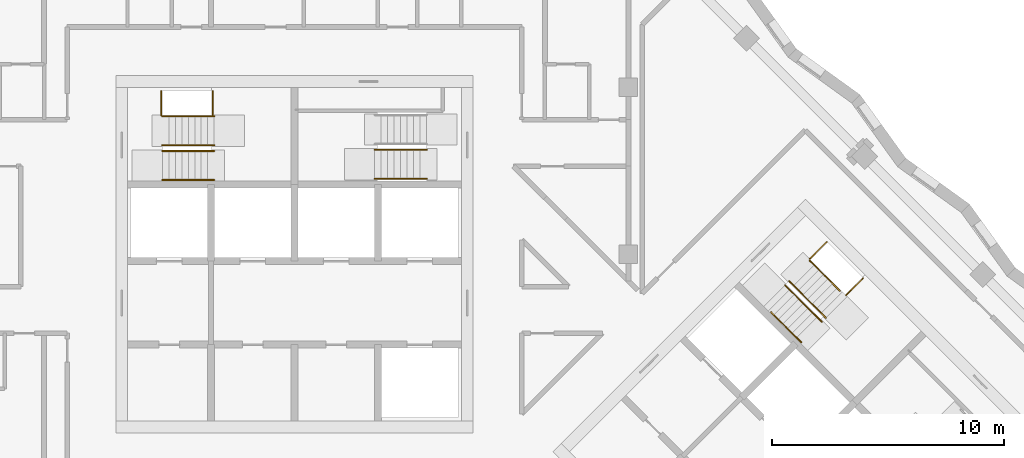
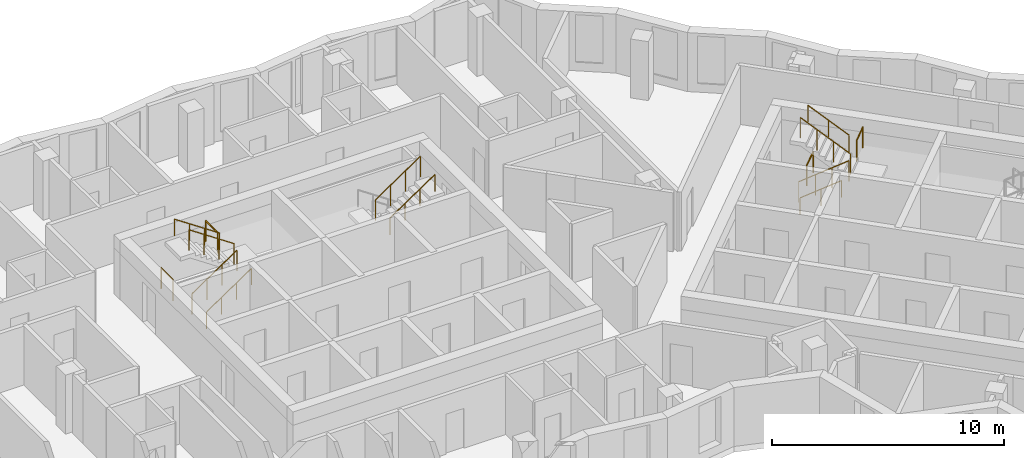
# One storey, part 11 of 13: 14 railings.
"""IFC4 building model written with IfcOpenShell, lengths in metres."""

import ifcopenshell
import ifcopenshell.guid

model = None  # the IFC model being written
_history = None  # IfcOwnerHistory: only IFC2X3 demands one
_inside = {}  # id of a spatial element -> (the spatial element, [elements in it])
_under = {}  # id of a project, library or spatial element -> (it, [spatial elements below it])
_declared = {}  # id of a project -> (the project, [libraries it declares])
_typed = {}  # id of a type object -> (the type object, [elements of that type])
_made_of = {}  # id of a material, layer set ... -> (it, [elements and type objects made of it])


def new_model(schema):
    """Start an empty IFC model of exactly this schema.

    Asked for "IFC4X3", IfcOpenShell would pick the latest addendum, in which some entities
    have other attributes; the version numbers below select the first issue.
    IFC2X3 requires an IfcOwnerHistory on every rooted entity: one is made here for all.
    """
    global model, _history
    if schema == "IFC4X3":
        model = ifcopenshell.file(schema_version=(4, 3, 0, 0))
    else:
        model = ifcopenshell.file(schema=schema)
    _inside.clear()
    _under.clear()
    _declared.clear()
    _typed.clear()
    _made_of.clear()
    _history = None
    if model.schema == "IFC2X3":
        org = make("IfcOrganization", Name="unknown")
        user = make(
            "IfcPersonAndOrganization",
            ThePerson=make("IfcPerson", FamilyName="unknown"),
            TheOrganization=org,
        )
        app = make(
            "IfcApplication",
            ApplicationDeveloper=org,
            Version="unknown",
            ApplicationFullName="unknown",
            ApplicationIdentifier="unknown",
        )
        _history = make(
            "IfcOwnerHistory",
            OwningUser=user,
            OwningApplication=app,
            ChangeAction="ADDED",
            CreationDate=0,
        )
    return model


def make(cls, **values):
    """One entity of the class cls with the attributes given. An attribute that is None is left unset."""
    return model.create_entity(
        cls, **{name: value for name, value in values.items() if value is not None}
    )


def rooted(cls, **values):
    """An entity with a GlobalId (a new one), such as an element, a storey or a relation."""
    return make(cls, GlobalId=ifcopenshell.guid.new(), OwnerHistory=_history, **values)


def si_unit(unit_type, name, prefix=None):
    """IfcSIUnit, for example si_unit("LENGTHUNIT", "METRE", prefix="MILLI")."""
    return make("IfcSIUnit", UnitType=unit_type, Prefix=prefix, Name=name)


def assignment(units):
    """IfcUnitAssignment: the units of a project."""
    return None if units is None else make("IfcUnitAssignment", Units=units)


def point(xyz):
    """IfcCartesianPoint."""
    return None if xyz is None else make("IfcCartesianPoint", Coordinates=xyz)


def direction(xyz):
    """IfcDirection."""
    return None if xyz is None else make("IfcDirection", DirectionRatios=xyz)


def frame(location, z_axis=None, x_axis=None):
    """IfcAxis2Placement3D, a coordinate frame: its origin and axes. An axis left out is left unset."""
    return make(
        "IfcAxis2Placement3D",
        Location=point(location),
        Axis=direction(z_axis),
        RefDirection=direction(x_axis),
    )


def frame_2d(location, x_axis=None):
    """IfcAxis2Placement2D, a coordinate frame in the plane: its origin and x axis."""
    return make(
        "IfcAxis2Placement2D", Location=point(location), RefDirection=direction(x_axis)
    )


def origin():
    """The frame at (0, 0, 0) with its axes left unset."""
    return frame((0.0, 0.0, 0.0))


def origin_2d():
    """The frame at (0, 0) in the plane with its x axis left unset."""
    return frame_2d((0.0, 0.0))


def place(relative_to, where):
    """IfcLocalPlacement: puts the frame where relative to a parent placement (None: the world)."""
    return make(
        "IfcLocalPlacement", PlacementRelTo=relative_to, RelativePlacement=where
    )


def context(
    kind, dimensions, precision=None, world=None, true_north=None, identifier=None
):
    """IfcGeometricRepresentationContext, for example the 3D "Model" context."""
    return make(
        "IfcGeometricRepresentationContext",
        ContextIdentifier=identifier,
        ContextType=kind,
        CoordinateSpaceDimension=dimensions,
        Precision=precision,
        WorldCoordinateSystem=world,
        TrueNorth=true_north,
    )


def subcontext(parent, identifier, kind, view, scale=None):
    """IfcGeometricRepresentationSubContext, for example "Body" below "Model"."""
    return make(
        "IfcGeometricRepresentationSubContext",
        ContextIdentifier=identifier,
        ContextType=kind,
        ParentContext=parent,
        TargetScale=scale,
        TargetView=view,
    )


def project(units=None, contexts=None):
    """IfcProject with its units and contexts."""
    return rooted(
        "IfcProject",
        Name="project",
        RepresentationContexts=contexts,
        UnitsInContext=assignment(units),
    )


def spatial(cls, under=None, at=None, **own):
    """A site, building, storey or space (cls), placed at a placement, below another one or the project."""
    s = rooted(cls, ObjectPlacement=at, **own)
    if under is not None:
        _under.setdefault(under.id(), (under, []))[1].append(s)
    return s


def profile(cls, at=None, kind="AREA", **sizes):
    """A parametric profile (cls). Its sizes go by their IFC names, for example OverallWidth=200.0."""
    return make(cls, ProfileType=kind, Position=at, **sizes)


def circle(**sizes):
    """IfcCircleProfileDef."""
    return profile("IfcCircleProfileDef", **sizes)


def extrude(swept, where, along, depth):
    """IfcExtrudedAreaSolid: the profile swept, set in the frame where, extruded along a direction by depth."""
    return make(
        "IfcExtrudedAreaSolid",
        SweptArea=swept,
        Position=where,
        ExtrudedDirection=direction(along),
        Depth=depth,
    )


def shape(context_of_items, identifier, shape_type, items):
    """IfcShapeRepresentation: the items that make up one representation, for example the "Body"."""
    return make(
        "IfcShapeRepresentation",
        ContextOfItems=context_of_items,
        RepresentationIdentifier=identifier,
        RepresentationType=shape_type,
        Items=items,
    )


def material(Name=None, Category=None):
    """IfcMaterial."""
    return make("IfcMaterial", Name=Name, Category=Category)


def made_of(thing, what):
    """Note that an element or type object is made of a material, layer set ...; save() writes the relation."""
    if what is not None:
        _made_of.setdefault(what.id(), (what, []))[1].append(thing)
    return thing


def type_object(cls, material=None, **own):
    """A type object (cls), such as IfcWallType, which elements share."""
    return made_of(rooted(cls, **own), material)


def element(
    cls,
    number,
    at=None,
    inside=None,
    cuts=None,
    type_object=None,
    material=None,
    context=None,
    identifier="Body",
    shape_type=None,
    held_by="IfcProductDefinitionShape",
    body=None,
    shapes=None,
    **own,
):
    """One element of the class cls, such as IfcWall. Its Tag is "e" and its number.

    at: its placement. inside: the storey or other place that contains it. cuts: it is an
    opening in that element (IfcRelVoidsElement). A single representation is given by context,
    identifier, shape_type and body (its items); several are given by shapes. held_by: the class
    of the entity that holds the representations. save() writes the other relations.
    """
    e = rooted(cls, Tag="e%d" % number, ObjectPlacement=at, **own)
    if body is not None:
        shapes = [shape(context, identifier, shape_type, body)]
    if shapes is not None:
        e.Representation = make(held_by, Representations=shapes)
    if inside is not None:
        _inside.setdefault(inside.id(), (inside, []))[1].append(e)
    if cuts is not None:
        rooted(
            "IfcRelVoidsElement", RelatingBuildingElement=cuts, RelatedOpeningElement=e
        )
    if type_object is not None:
        _typed.setdefault(type_object.id(), (type_object, []))[1].append(e)
    return made_of(e, material)


def aggregate(whole, parts):
    """IfcRelAggregates: a whole, such as a stair, and the parts it consists of."""
    return rooted("IfcRelAggregates", RelatingObject=whole, RelatedObjects=parts)


def save(model, path):
    """Write the relations noted so far, then the file.

    IfcRelAggregates (storeys below a building ...), IfcRelContainedInSpatialStructure (elements
    in a storey), IfcRelDefinesByType, IfcRelAssociatesMaterial and IfcRelDeclares: one each for
    every whole, place, type object, material and project.
    """
    for whole, parts in _under.values():
        aggregate(whole, parts)
    for where, things in _inside.values():
        rooted(
            "IfcRelContainedInSpatialStructure",
            RelatedElements=things,
            RelatingStructure=where,
        )
    for kind, things in _typed.values():
        rooted("IfcRelDefinesByType", RelatedObjects=things, RelatingType=kind)
    for what, things in _made_of.values():
        rooted("IfcRelAssociatesMaterial", RelatedObjects=things, RelatingMaterial=what)
    for by, libraries in _declared.values():
        rooted("IfcRelDeclares", RelatingContext=by, RelatedDefinitions=libraries)
    model.write(path)


model = new_model("IFC4")

# Units and contexts
model_context = context("Model", 3, precision=1e-05, world=origin(), true_north=direction((0.0, 1.0)))
body_context = subcontext(model_context, "Body", "Model", "MODEL_VIEW")
ifc_project = project(units=[si_unit("LENGTHUNIT", "METRE"), si_unit("AREAUNIT", "SQUARE_METRE"), si_unit("VOLUMEUNIT", "CUBIC_METRE"), si_unit("PLANEANGLEUNIT", "RADIAN"), si_unit("MASSUNIT", "GRAM", prefix="KILO")], contexts=[model_context])

# Site, building, storey
site_placement = place(None, origin())
site = spatial("IfcSite", under=ifc_project, at=site_placement, CompositionType="ELEMENT")
building_placement = place(site_placement, origin())
building = spatial("IfcBuilding", under=site, at=building_placement, Name="Windrow Commons", CompositionType="ELEMENT")
storey_placement = place(building_placement, frame((0.0, 0.0, 216.8)))
storey = spatial("IfcBuildingStorey", under=building, at=storey_placement, Name="L59", CompositionType="ELEMENT", Elevation=216.8)

# Railings
ifc_material_1 = material(Name="Steel S355", Category="steel")
railing_type_1 = type_object("IfcRailingType", Name="Core stair guard 1100", PredefinedType="GUARDRAIL", material=ifc_material_1)
railing_1_placement = place(storey_placement, frame((59.1, 62.05, 0.1889)))
element("IfcRailing", 1, at=railing_1_placement, inside=storey, type_object=railing_type_1, Name="L59 ST-A1 stair guard 1", PredefinedType="GUARDRAIL", context=body_context, shape_type="SweptSolid", body=[
    extrude(circle(Radius=0.024, at=origin_2d()), frame((0.0, 0.0, 1.076), z_axis=(0.8290030985, 0.0, 0.5592440099), x_axis=(0.0, 1.0, 0.0)), (0.0, 0.0, 1.0), 2.702),
    extrude(circle(Radius=0.021, at=origin_2d()), origin(), (0.0, 0.0, 1.0), 1.052),
    extrude(circle(Radius=0.021, at=origin_2d()), frame((0.7467, 0.0, 0.5037)), (0.0, 0.0, 1.0), 1.052),
    extrude(circle(Radius=0.021, at=origin_2d()), frame((1.4933, 0.0, 1.0074)), (0.0, 0.0, 1.0), 1.052),
    extrude(circle(Radius=0.021, at=origin_2d()), frame((2.24, 0.0, 1.5111)), (0.0, 0.0, 1.0), 1.052),
])
railing_2_placement = place(storey_placement, frame((61.34, 62.3, 1.8889)))
element("IfcRailing", 2, at=railing_2_placement, inside=storey, type_object=railing_type_1, Name="L59 ST-A1 stair guard 2", PredefinedType="GUARDRAIL", context=body_context, shape_type="SweptSolid", body=[
    extrude(circle(Radius=0.024, at=origin_2d()), frame((0.0, 0.0, 1.076), z_axis=(-0.8290030985, 0.0, 0.5592440099), x_axis=(0.0, -1.0, 0.0)), (0.0, 0.0, 1.0), 2.702),
    extrude(circle(Radius=0.021, at=origin_2d()), origin(), (0.0, 0.0, 1.0), 1.052),
    extrude(circle(Radius=0.021, at=origin_2d()), frame((-0.7467, 0.0, 0.5037)), (0.0, 0.0, 1.0), 1.052),
    extrude(circle(Radius=0.021, at=origin_2d()), frame((-1.4933, 0.0, 1.0074)), (0.0, 0.0, 1.0), 1.052),
    extrude(circle(Radius=0.021, at=origin_2d()), frame((-2.24, 0.0, 1.5111)), (0.0, 0.0, 1.0), 1.052),
])
for number, where, name in (
    (3, (59.05, 63.6, 0.0), "L59 ST-A1 stair guard 3"),
    (4, (61.27, 63.6, 1.7), "L59 ST-A1 stair guard 4"),
):
    element("IfcRailing", number, at=place(storey_placement, frame(where)), inside=storey, type_object=railing_type_1, Name=name, PredefinedType="GUARDRAIL", context=body_context, shape_type="SweptSolid", body=[
        extrude(circle(Radius=0.024, at=origin_2d()), frame((0.0, 0.0, 1.076), z_axis=(0.0, 1.0, 0.0), x_axis=(-1.0, 0.0, 0.0)), (0.0, 0.0, 1.0), 1.03),
        extrude(circle(Radius=0.021, at=origin_2d()), origin(), (0.0, 0.0, 1.0), 1.052),
        extrude(circle(Radius=0.021, at=origin_2d()), frame((0.0, 1.03, 0.0)), (0.0, 0.0, 1.0), 1.052),
    ])
railing_3_placement = place(storey_placement, frame((68.26, 62.105, 1.8889)))
element("IfcRailing", 5, at=railing_3_placement, inside=storey, type_object=railing_type_1, Name="L59 ST-A2 stair guard 2", PredefinedType="GUARDRAIL", context=body_context, shape_type="SweptSolid", body=[
    extrude(circle(Radius=0.024, at=origin_2d()), frame((0.0, 0.0, 1.076), z_axis=(0.8290030985, 0.0, 0.5592440099), x_axis=(0.0, 1.0, 0.0)), (0.0, 0.0, 1.0), 2.702),
    extrude(circle(Radius=0.021, at=origin_2d()), origin(), (0.0, 0.0, 1.0), 1.052),
    extrude(circle(Radius=0.021, at=origin_2d()), frame((0.7467, 0.0, 0.5037)), (0.0, 0.0, 1.0), 1.052),
    extrude(circle(Radius=0.021, at=origin_2d()), frame((1.4933, 0.0, 1.0074)), (0.0, 0.0, 1.0), 1.052),
    extrude(circle(Radius=0.021, at=origin_2d()), frame((2.24, 0.0, 1.5111)), (0.0, 0.0, 1.0), 1.052),
])
railing_4_placement = place(storey_placement, frame((85.9529, 56.2669, 0.1889)))
element("IfcRailing", 6, at=railing_4_placement, inside=storey, type_object=railing_type_1, Name="L59 ST-B1 stair guard 1", PredefinedType="GUARDRAIL", context=body_context, shape_type="SweptSolid", body=[
    extrude(circle(Radius=0.024, at=origin_2d()), frame((0.0, 0.0, 1.076), z_axis=(0.5861914914, -0.5861914914, 0.5592486664), x_axis=(0.7071067812, 0.7071067812, 0.0)), (0.0, 0.0, 1.0), 2.702),
    extrude(circle(Radius=0.021, at=origin_2d()), origin(), (0.0, 0.0, 1.0), 1.052),
    extrude(circle(Radius=0.021, at=origin_2d()), frame((0.528, -0.528, 0.5037)), (0.0, 0.0, 1.0), 1.052),
    extrude(circle(Radius=0.021, at=origin_2d()), frame((1.0559, -1.0559, 1.0074)), (0.0, 0.0, 1.0), 1.052),
    extrude(circle(Radius=0.021, at=origin_2d()), frame((1.5839, -1.5839, 1.5111)), (0.0, 0.0, 1.0), 1.052),
])
railing_5_placement = place(storey_placement, frame((87.7136, 54.8597, 1.8889)))
element("IfcRailing", 7, at=railing_5_placement, inside=storey, type_object=railing_type_1, Name="L59 ST-B1 stair guard 2", PredefinedType="GUARDRAIL", context=body_context, shape_type="SweptSolid", body=[
    extrude(circle(Radius=0.024, at=origin_2d()), frame((0.0, 0.0, 1.076), z_axis=(-0.5862030657, 0.5862030657, 0.5592244018), x_axis=(-0.7071067812, -0.7071067812, 0.0)), (0.0, 0.0, 1.0), 2.7021),
    extrude(circle(Radius=0.021, at=origin_2d()), origin(), (0.0, 0.0, 1.0), 1.052),
    extrude(circle(Radius=0.021, at=origin_2d()), frame((-0.528, 0.528, 0.5037)), (0.0, 0.0, 1.0), 1.052),
    extrude(circle(Radius=0.021, at=origin_2d()), frame((-1.056, 1.056, 1.0074)), (0.0, 0.0, 1.0), 1.052),
    extrude(circle(Radius=0.021, at=origin_2d()), frame((-1.584, 1.584, 1.5111)), (0.0, 0.0, 1.0), 1.052),
])
railing_6_placement = place(storey_placement, frame((87.0135, 57.3982, 0.0)))
element("IfcRailing", 8, at=railing_6_placement, inside=storey, type_object=railing_type_1, Name="L59 ST-B1 stair guard 3", PredefinedType="GUARDRAIL", context=body_context, shape_type="SweptSolid", body=[
    extrude(circle(Radius=0.024, at=origin_2d()), frame((0.0, 0.0, 1.076), z_axis=(0.7070582378, 0.7071553212, 0.0), x_axis=(-0.7071553212, 0.7070582378, 0.0)), (0.0, 0.0, 1.0), 1.03),
    extrude(circle(Radius=0.021, at=origin_2d()), origin(), (0.0, 0.0, 1.0), 1.052),
    extrude(circle(Radius=0.021, at=origin_2d()), frame((0.7283, 0.7284, 0.0)), (0.0, 0.0, 1.0), 1.052),
])
railing_7_placement = place(storey_placement, frame((88.5833, 55.8285, 1.7)))
element("IfcRailing", 9, at=railing_7_placement, inside=storey, type_object=railing_type_1, Name="L59 ST-B1 stair guard 4", PredefinedType="GUARDRAIL", context=body_context, shape_type="SweptSolid", body=[
    extrude(circle(Radius=0.024, at=origin_2d()), frame((0.0, 0.0, 1.076), z_axis=(0.7071067812, 0.7071067812, 0.0), x_axis=(-0.7071067812, 0.7071067812, 0.0)), (0.0, 0.0, 1.0), 1.03),
    extrude(circle(Radius=0.021, at=origin_2d()), origin(), (0.0, 0.0, 1.0), 1.052),
    extrude(circle(Radius=0.021, at=origin_2d()), frame((0.7283, 0.7283, 0.0)), (0.0, 0.0, 1.0), 1.052),
])
ifc_material_2 = material(Name="Steel S355", Category="steel")
railing_type_2 = type_object("IfcRailingType", Name="Core stair handrail 900", PredefinedType="HANDRAIL", material=ifc_material_2)
railing_8_placement = place(storey_placement, frame((59.1, 60.8, 0.1889)))
element("IfcRailing", 10, at=railing_8_placement, inside=storey, type_object=railing_type_2, Name="L59 ST-A1 stair handrail 1", PredefinedType="HANDRAIL", context=body_context, shape_type="SweptSolid", body=[
    extrude(circle(Radius=0.024, at=origin_2d()), frame((0.0, 0.0, 0.876), z_axis=(0.8290030985, 0.0, 0.5592440099), x_axis=(0.0, 1.0, 0.0)), (0.0, 0.0, 1.0), 2.702),
    extrude(circle(Radius=0.021, at=origin_2d()), origin(), (0.0, 0.0, 1.0), 0.852),
    extrude(circle(Radius=0.021, at=origin_2d()), frame((0.7467, 0.0, 0.5037)), (0.0, 0.0, 1.0), 0.852),
    extrude(circle(Radius=0.021, at=origin_2d()), frame((1.4933, 0.0, 1.0074)), (0.0, 0.0, 1.0), 0.852),
    extrude(circle(Radius=0.021, at=origin_2d()), frame((2.24, 0.0, 1.5111)), (0.0, 0.0, 1.0), 0.852),
])
railing_9_placement = place(storey_placement, frame((61.34, 63.55, 1.8889)))
element("IfcRailing", 11, at=railing_9_placement, inside=storey, type_object=railing_type_2, Name="L59 ST-A1 stair handrail 2", PredefinedType="HANDRAIL", context=body_context, shape_type="SweptSolid", body=[
    extrude(circle(Radius=0.024, at=origin_2d()), frame((0.0, 0.0, 0.876), z_axis=(-0.8290030985, 0.0, 0.5592440099), x_axis=(0.0, -1.0, 0.0)), (0.0, 0.0, 1.0), 2.702),
    extrude(circle(Radius=0.021, at=origin_2d()), origin(), (0.0, 0.0, 1.0), 0.852),
    extrude(circle(Radius=0.021, at=origin_2d()), frame((-0.7467, 0.0, 0.5037)), (0.0, 0.0, 1.0), 0.852),
    extrude(circle(Radius=0.021, at=origin_2d()), frame((-1.4933, 0.0, 1.0074)), (0.0, 0.0, 1.0), 0.852),
    extrude(circle(Radius=0.021, at=origin_2d()), frame((-2.24, 0.0, 1.5111)), (0.0, 0.0, 1.0), 0.852),
])
railing_10_placement = place(storey_placement, frame((68.26, 60.855, 1.8889)))
element("IfcRailing", 12, at=railing_10_placement, inside=storey, type_object=railing_type_2, Name="L59 ST-A2 stair handrail 2", PredefinedType="HANDRAIL", context=body_context, shape_type="SweptSolid", body=[
    extrude(circle(Radius=0.024, at=origin_2d()), frame((0.0, 0.0, 0.876), z_axis=(0.8290030985, 0.0, 0.5592440099), x_axis=(0.0, 1.0, 0.0)), (0.0, 0.0, 1.0), 2.702),
    extrude(circle(Radius=0.021, at=origin_2d()), origin(), (0.0, 0.0, 1.0), 0.852),
    extrude(circle(Radius=0.021, at=origin_2d()), frame((0.7467, 0.0, 0.5037)), (0.0, 0.0, 1.0), 0.852),
    extrude(circle(Radius=0.021, at=origin_2d()), frame((1.4933, 0.0, 1.0074)), (0.0, 0.0, 1.0), 0.852),
    extrude(circle(Radius=0.021, at=origin_2d()), frame((2.24, 0.0, 1.5111)), (0.0, 0.0, 1.0), 0.852),
])
railing_11_placement = place(storey_placement, frame((85.3518, 55.1001, 0.4587)))
element("IfcRailing", 13, at=railing_11_placement, inside=storey, type_object=railing_type_2, Name="L59 ST-B1 stair handrail 1", PredefinedType="HANDRAIL", context=body_context, shape_type="SweptSolid", body=[
    extrude(circle(Radius=0.024, at=origin_2d()), frame((0.0, 0.0, 0.876), z_axis=(0.586206706, -0.5861616513, 0.5592639952), x_axis=(0.7070796062, 0.7071339551, 0.0)), (0.0, 0.0, 1.0), 2.2195),
    extrude(circle(Radius=0.021, at=origin_2d()), origin(), (0.0, 0.0, 1.0), 0.852),
    extrude(circle(Radius=0.021, at=origin_2d()), frame((0.6506, -0.6505, 0.6206)), (0.0, 0.0, 1.0), 0.852),
    extrude(circle(Radius=0.021, at=origin_2d()), frame((1.3011, -1.301, 1.2413)), (0.0, 0.0, 1.0), 0.852),
])
railing_12_placement = place(storey_placement, frame((88.3146, 56.0265, 2.1587)))
element("IfcRailing", 14, at=railing_12_placement, inside=storey, type_object=railing_type_2, Name="L59 ST-B1 stair handrail 2", PredefinedType="HANDRAIL", context=body_context, shape_type="SweptSolid", body=[
    extrude(circle(Radius=0.024, at=origin_2d()), frame((0.0, 0.0, 0.876), z_axis=(-0.586206706, 0.5861616513, 0.5592639952), x_axis=(-0.7070796062, -0.7071339551, 0.0)), (0.0, 0.0, 1.0), 2.2195),
    extrude(circle(Radius=0.021, at=origin_2d()), origin(), (0.0, 0.0, 1.0), 0.852),
    extrude(circle(Radius=0.021, at=origin_2d()), frame((-0.6506, 0.6505, 0.6206)), (0.0, 0.0, 1.0), 0.852),
    extrude(circle(Radius=0.021, at=origin_2d()), frame((-1.3011, 1.301, 1.2413)), (0.0, 0.0, 1.0), 0.852),
])

save(model, "model.ifc")
